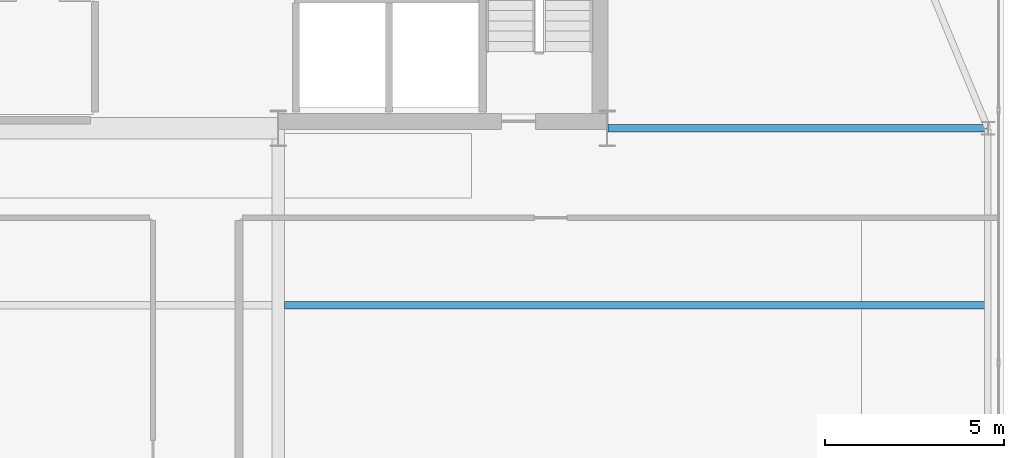
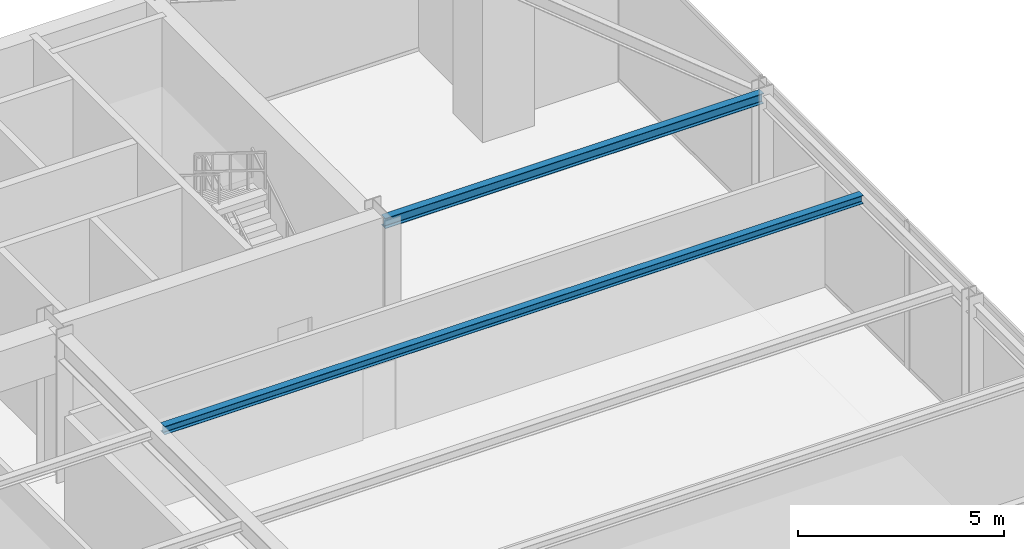
# One storey, part 24 of 32: 2 beams.
"""IFC4 building model written with IfcOpenShell, lengths in metres."""

from ifc_helpers import new_model, si_unit, direction, frame, origin, origin_2d, place, context, subcontext, project, spatial, i_section, extrude, source, transform, mapped, material, material_profile, profile_set, type_object, type_shapes, element, save


model = new_model("IFC4")

# Units and contexts
model_context = context("Model", 3, precision=1e-05, world=origin(), true_north=direction((0.0, 1.0)))
body_context = subcontext(model_context, "Body", "Model", "MODEL_VIEW")
ifc_project = project(units=[si_unit("LENGTHUNIT", "METRE"), si_unit("AREAUNIT", "SQUARE_METRE"), si_unit("VOLUMEUNIT", "CUBIC_METRE"), si_unit("PLANEANGLEUNIT", "RADIAN"), si_unit("MASSUNIT", "GRAM", prefix="KILO")], contexts=[model_context])

# Site, building, storey
site_placement = place(None, origin())
site = spatial("IfcSite", under=ifc_project, at=site_placement, CompositionType="ELEMENT")
building_placement = place(site_placement, origin())
building = spatial("IfcBuilding", under=site, at=building_placement, Name="Varnel Quay Broadcast Tower", CompositionType="ELEMENT")
storey_placement = place(building_placement, frame((0.0, 0.0, 98.39990234375)))
storey = spatial("IfcBuildingStorey", under=building, at=storey_placement, Name="L23", CompositionType="ELEMENT", Elevation=98.39990234375)

# Beams
ifc_material = material(Name="Structural Steel CSA G40.21 350W", Category="steel")
ifc_material_profile_1 = material_profile(ifc_material, i_section(OverallWidth=0.202880859375, OverallDepth=0.302978515625, WebThickness=0.007568359375, FlangeThickness=0.01318359375, FilletRadius=0.011962890625, at=origin_2d()), Name="W310X60")
ifc_profile_set_1 = profile_set([ifc_material_profile_1], Name="Structural Steel CSA G40.21 350W")
beam_type_1 = type_object("IfcBeamType", Name="Beam_W310X60", PredefinedType="JOIST", material=ifc_profile_set_1)
shared_shape_1 = source(origin(), body_context, "Body", "SweptSolid", [
    extrude(i_section(OverallWidth=0.202880859375, OverallDepth=0.302978515625, WebThickness=0.007568359375, FlangeThickness=0.01318359375, FilletRadius=0.011962890625, at=origin_2d()), origin(), (0.0, 0.0, 1.0), 10.610107421875),
])
type_shapes(beam_type_1, [shared_shape_1])
beam_1_placement = place(storey_placement, frame((52.419921875, 35.60009765625, 4.198486328125), z_axis=(1.0, 0.0, 0.0), x_axis=(0.0, 1.0, 0.0)))
element("IfcBeam", 1, at=beam_1_placement, inside=storey, type_object=beam_type_1, Name="L23 East Core Tie Joist", PredefinedType="JOIST", context=body_context, shape_type="MappedRepresentation", body=[
    mapped(shared_shape_1, transform((0.0, 0.0, 0.0), x_axis=(1.0, 0.0, 0.0), y_axis=(0.0, 1.0, 0.0), z_axis=(0.0, 0.0, 1.0), scale=1.0)),
])
ifc_material_profile_2 = material_profile(ifc_material, i_section(OverallWidth=0.201904296875, OverallDepth=0.2470703125, WebThickness=0.00732421875, FlangeThickness=0.010986328125, FilletRadius=0.010986328125, at=origin_2d()), Name="W250X49")
ifc_profile_set_2 = profile_set([ifc_material_profile_2], Name="Structural Steel CSA G40.21 350W")
beam_type_2 = type_object("IfcBeamType", Name="Beam_W250X49", PredefinedType="JOIST", material=ifc_profile_set_2)
shared_shape_2 = source(origin(), body_context, "Body", "SweptSolid", [
    extrude(i_section(OverallWidth=0.201904296875, OverallDepth=0.2470703125, WebThickness=0.00732421875, FlangeThickness=0.010986328125, FilletRadius=0.010986328125, at=origin_2d()), origin(), (0.0, 0.0, 1.0), 19.592041015625),
])
type_shapes(beam_type_2, [shared_shape_2])
beam_2_placement = place(storey_placement, frame((43.37255859375, 30.64990234375, 4.2265625), z_axis=(1.0, 0.0, 0.0), x_axis=(0.0, 1.0, 0.0)))
element("IfcBeam", 2, at=beam_2_placement, inside=storey, type_object=beam_type_2, Name="L23 East Floor Joist 6", PredefinedType="JOIST", context=body_context, shape_type="MappedRepresentation", body=[
    mapped(shared_shape_2, transform((0.0, 0.0, 0.0), x_axis=(1.0, 0.0, 0.0), y_axis=(0.0, 1.0, 0.0), z_axis=(0.0, 0.0, 1.0), scale=1.0)),
])

save(model, "model.ifc")
